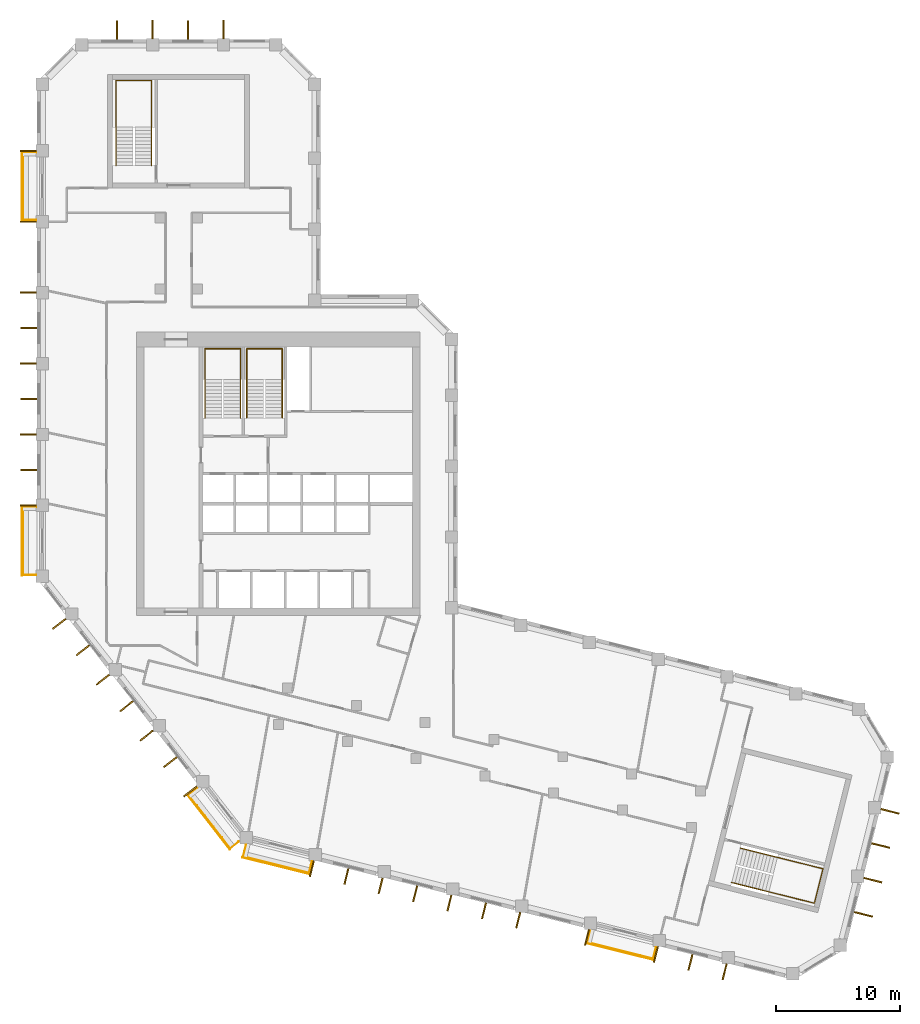
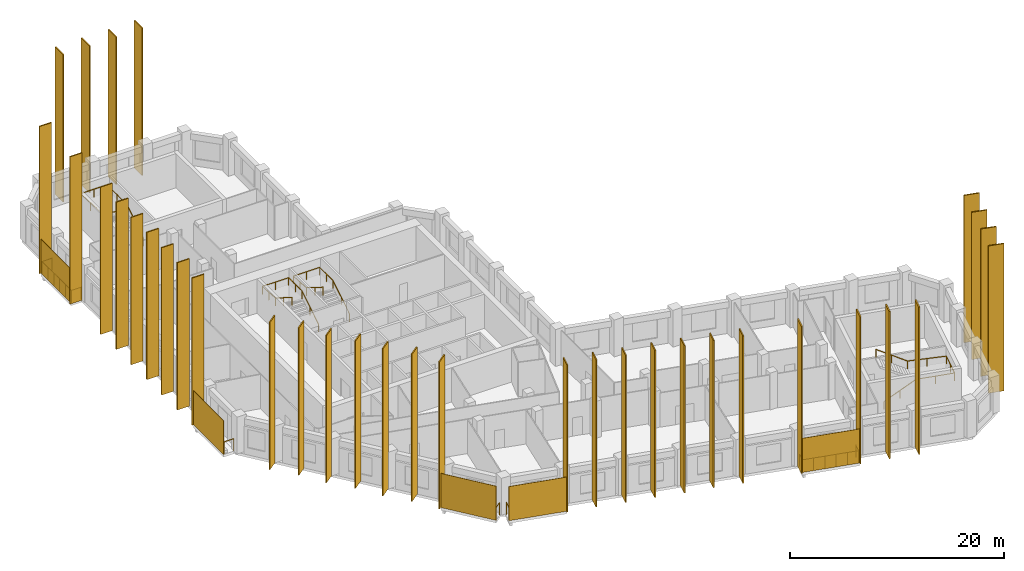
# One storey, part 9 of 9: 40 shading devices, 9 railings.
"""IFC4 building model written with IfcOpenShell, lengths in metres."""

import ifcopenshell
import ifcopenshell.guid

model = None  # the IFC model being written
_history = None  # IfcOwnerHistory: only IFC2X3 demands one
_inside = {}  # id of a spatial element -> (the spatial element, [elements in it])
_under = {}  # id of a project, library or spatial element -> (it, [spatial elements below it])
_declared = {}  # id of a project -> (the project, [libraries it declares])
_typed = {}  # id of a type object -> (the type object, [elements of that type])
_made_of = {}  # id of a material, layer set ... -> (it, [elements and type objects made of it])


def new_model(schema):
    """Start an empty IFC model of exactly this schema.

    Asked for "IFC4X3", IfcOpenShell would pick the latest addendum, in which some entities
    have other attributes; the version numbers below select the first issue.
    IFC2X3 requires an IfcOwnerHistory on every rooted entity: one is made here for all.
    """
    global model, _history
    if schema == "IFC4X3":
        model = ifcopenshell.file(schema_version=(4, 3, 0, 0))
    else:
        model = ifcopenshell.file(schema=schema)
    _inside.clear()
    _under.clear()
    _declared.clear()
    _typed.clear()
    _made_of.clear()
    _history = None
    if model.schema == "IFC2X3":
        org = make("IfcOrganization", Name="unknown")
        user = make(
            "IfcPersonAndOrganization",
            ThePerson=make("IfcPerson", FamilyName="unknown"),
            TheOrganization=org,
        )
        app = make(
            "IfcApplication",
            ApplicationDeveloper=org,
            Version="unknown",
            ApplicationFullName="unknown",
            ApplicationIdentifier="unknown",
        )
        _history = make(
            "IfcOwnerHistory",
            OwningUser=user,
            OwningApplication=app,
            ChangeAction="ADDED",
            CreationDate=0,
        )
    return model


def make(cls, **values):
    """One entity of the class cls with the attributes given. An attribute that is None is left unset."""
    return model.create_entity(
        cls, **{name: value for name, value in values.items() if value is not None}
    )


def rooted(cls, **values):
    """An entity with a GlobalId (a new one), such as an element, a storey or a relation."""
    return make(cls, GlobalId=ifcopenshell.guid.new(), OwnerHistory=_history, **values)


def si_unit(unit_type, name, prefix=None):
    """IfcSIUnit, for example si_unit("LENGTHUNIT", "METRE", prefix="MILLI")."""
    return make("IfcSIUnit", UnitType=unit_type, Prefix=prefix, Name=name)


def assignment(units):
    """IfcUnitAssignment: the units of a project."""
    return None if units is None else make("IfcUnitAssignment", Units=units)


def point(xyz):
    """IfcCartesianPoint."""
    return None if xyz is None else make("IfcCartesianPoint", Coordinates=xyz)


def direction(xyz):
    """IfcDirection."""
    return None if xyz is None else make("IfcDirection", DirectionRatios=xyz)


def frame(location, z_axis=None, x_axis=None):
    """IfcAxis2Placement3D, a coordinate frame: its origin and axes. An axis left out is left unset."""
    return make(
        "IfcAxis2Placement3D",
        Location=point(location),
        Axis=direction(z_axis),
        RefDirection=direction(x_axis),
    )


def frame_2d(location, x_axis=None):
    """IfcAxis2Placement2D, a coordinate frame in the plane: its origin and x axis."""
    return make(
        "IfcAxis2Placement2D", Location=point(location), RefDirection=direction(x_axis)
    )


def origin():
    """The frame at (0, 0, 0) with its axes left unset."""
    return frame((0.0, 0.0, 0.0))


def origin_2d():
    """The frame at (0, 0) in the plane with its x axis left unset."""
    return frame_2d((0.0, 0.0))


def place(relative_to, where):
    """IfcLocalPlacement: puts the frame where relative to a parent placement (None: the world)."""
    return make(
        "IfcLocalPlacement", PlacementRelTo=relative_to, RelativePlacement=where
    )


def context(
    kind, dimensions, precision=None, world=None, true_north=None, identifier=None
):
    """IfcGeometricRepresentationContext, for example the 3D "Model" context."""
    return make(
        "IfcGeometricRepresentationContext",
        ContextIdentifier=identifier,
        ContextType=kind,
        CoordinateSpaceDimension=dimensions,
        Precision=precision,
        WorldCoordinateSystem=world,
        TrueNorth=true_north,
    )


def subcontext(parent, identifier, kind, view, scale=None):
    """IfcGeometricRepresentationSubContext, for example "Body" below "Model"."""
    return make(
        "IfcGeometricRepresentationSubContext",
        ContextIdentifier=identifier,
        ContextType=kind,
        ParentContext=parent,
        TargetScale=scale,
        TargetView=view,
    )


def project(units=None, contexts=None):
    """IfcProject with its units and contexts."""
    return rooted(
        "IfcProject",
        Name="project",
        RepresentationContexts=contexts,
        UnitsInContext=assignment(units),
    )


def spatial(cls, under=None, at=None, **own):
    """A site, building, storey or space (cls), placed at a placement, below another one or the project."""
    s = rooted(cls, ObjectPlacement=at, **own)
    if under is not None:
        _under.setdefault(under.id(), (under, []))[1].append(s)
    return s


def profile(cls, at=None, kind="AREA", **sizes):
    """A parametric profile (cls). Its sizes go by their IFC names, for example OverallWidth=200.0."""
    return make(cls, ProfileType=kind, Position=at, **sizes)


def rectangle(**sizes):
    """IfcRectangleProfileDef."""
    return profile("IfcRectangleProfileDef", **sizes)


def circle(**sizes):
    """IfcCircleProfileDef."""
    return profile("IfcCircleProfileDef", **sizes)


def extrude(swept, where, along, depth):
    """IfcExtrudedAreaSolid: the profile swept, set in the frame where, extruded along a direction by depth."""
    return make(
        "IfcExtrudedAreaSolid",
        SweptArea=swept,
        Position=where,
        ExtrudedDirection=direction(along),
        Depth=depth,
    )


def shape(context_of_items, identifier, shape_type, items):
    """IfcShapeRepresentation: the items that make up one representation, for example the "Body"."""
    return make(
        "IfcShapeRepresentation",
        ContextOfItems=context_of_items,
        RepresentationIdentifier=identifier,
        RepresentationType=shape_type,
        Items=items,
    )


def material(Name=None, Category=None):
    """IfcMaterial."""
    return make("IfcMaterial", Name=Name, Category=Category)


def layer(
    of_material, thickness, ventilated=None, Name=None, Category=None, Priority=None
):
    """IfcMaterialLayer: one layer of a wall or slab, of a material (None: an air gap)."""
    return make(
        "IfcMaterialLayer",
        Material=of_material,
        LayerThickness=thickness,
        IsVentilated=ventilated,
        Name=Name,
        Category=Category,
        Priority=Priority,
    )


def layer_set(layers, Name=None):
    """IfcMaterialLayerSet."""
    return make("IfcMaterialLayerSet", MaterialLayers=layers, LayerSetName=Name)


def made_of(thing, what):
    """Note that an element or type object is made of a material, layer set ...; save() writes the relation."""
    if what is not None:
        _made_of.setdefault(what.id(), (what, []))[1].append(thing)
    return thing


def type_object(cls, material=None, **own):
    """A type object (cls), such as IfcWallType, which elements share."""
    return made_of(rooted(cls, **own), material)


def element(
    cls,
    number,
    at=None,
    inside=None,
    cuts=None,
    type_object=None,
    material=None,
    context=None,
    identifier="Body",
    shape_type=None,
    held_by="IfcProductDefinitionShape",
    body=None,
    shapes=None,
    **own,
):
    """One element of the class cls, such as IfcWall. Its Tag is "e" and its number.

    at: its placement. inside: the storey or other place that contains it. cuts: it is an
    opening in that element (IfcRelVoidsElement). A single representation is given by context,
    identifier, shape_type and body (its items); several are given by shapes. held_by: the class
    of the entity that holds the representations. save() writes the other relations.
    """
    e = rooted(cls, Tag="e%d" % number, ObjectPlacement=at, **own)
    if body is not None:
        shapes = [shape(context, identifier, shape_type, body)]
    if shapes is not None:
        e.Representation = make(held_by, Representations=shapes)
    if inside is not None:
        _inside.setdefault(inside.id(), (inside, []))[1].append(e)
    if cuts is not None:
        rooted(
            "IfcRelVoidsElement", RelatingBuildingElement=cuts, RelatedOpeningElement=e
        )
    if type_object is not None:
        _typed.setdefault(type_object.id(), (type_object, []))[1].append(e)
    return made_of(e, material)


def aggregate(whole, parts):
    """IfcRelAggregates: a whole, such as a stair, and the parts it consists of."""
    return rooted("IfcRelAggregates", RelatingObject=whole, RelatedObjects=parts)


def save(model, path):
    """Write the relations noted so far, then the file.

    IfcRelAggregates (storeys below a building ...), IfcRelContainedInSpatialStructure (elements
    in a storey), IfcRelDefinesByType, IfcRelAssociatesMaterial and IfcRelDeclares: one each for
    every whole, place, type object, material and project.
    """
    for whole, parts in _under.values():
        aggregate(whole, parts)
    for where, things in _inside.values():
        rooted(
            "IfcRelContainedInSpatialStructure",
            RelatedElements=things,
            RelatingStructure=where,
        )
    for kind, things in _typed.values():
        rooted("IfcRelDefinesByType", RelatedObjects=things, RelatingType=kind)
    for what, things in _made_of.values():
        rooted("IfcRelAssociatesMaterial", RelatedObjects=things, RelatingMaterial=what)
    for by, libraries in _declared.values():
        rooted("IfcRelDeclares", RelatingContext=by, RelatedDefinitions=libraries)
    model.write(path)


model = new_model("IFC4")

# Units and contexts
model_context = context("Model", 3, precision=1e-05, world=origin(), true_north=direction((0.0, 1.0)))
body_context = subcontext(model_context, "Body", "Model", "MODEL_VIEW")
ifc_project = project(units=[si_unit("LENGTHUNIT", "METRE"), si_unit("AREAUNIT", "SQUARE_METRE"), si_unit("VOLUMEUNIT", "CUBIC_METRE"), si_unit("PLANEANGLEUNIT", "RADIAN"), si_unit("MASSUNIT", "GRAM", prefix="KILO")], contexts=[model_context])

# Site, building, storey
site_placement = place(None, origin())
site = spatial("IfcSite", under=ifc_project, at=site_placement, CompositionType="ELEMENT")
building_placement = place(site_placement, origin())
building = spatial("IfcBuilding", under=site, at=building_placement, Name="Meshkara Civic Tower", CompositionType="ELEMENT")
storey_placement = place(building_placement, frame((0.0, 0.0, 289.800048828125)))
storey = spatial("IfcBuildingStorey", under=building, at=storey_placement, Name="L66", CompositionType="ELEMENT", Elevation=289.800048828125)

# Railings
ifc_material_1 = material(Name="Steel S355", Category="steel")
railing_type_1 = type_object("IfcRailingType", Name="BALUSTRADE GUARD 1400", PredefinedType="BALUSTRADE", material=ifc_material_1)
for number, where, name in (
    (1, (-0.050048828125, 51.3349609375, 0.0), "Balcony guard"),
    (2, (-0.050048828125, 22.8349609375, 0.0), "Balcony guard"),
):
    element("IfcRailing", number, at=place(storey_placement, frame(where)), inside=storey, type_object=railing_type_1, Name=name, PredefinedType="BALUSTRADE", context=body_context, shape_type="SweptSolid", body=[
        extrude(circle(Radius=0.02392578125, at=origin_2d()), frame((0.0, 0.0, 1.3759765625), z_axis=(-1.0, 0.0, 0.0), x_axis=(0.0, -1.0, 0.0)), (0.0, 0.0, 1.0), 1.06005859375),
        extrude(circle(Radius=0.02392578125, at=origin_2d()), frame((-1.06005859375, 0.0, 1.3759765625), z_axis=(0.0, -1.0, 0.0), x_axis=(1.0, 0.0, 0.0)), (0.0, 0.0, 1.0), 5.4599609375),
        extrude(circle(Radius=0.02392578125, at=origin_2d()), frame((-1.06005859375, -5.4599609375, 1.3759765625), z_axis=(1.0, 0.0, 0.0), x_axis=(0.0, 1.0, 0.0)), (0.0, 0.0, 1.0), 1.06005859375),
        extrude(circle(Radius=0.02099609375, at=origin_2d()), origin(), (0.0, 0.0, 1.0), 1.351806640625),
        extrude(circle(Radius=0.02099609375, at=origin_2d()), frame((-1.06005859375, 0.0, 0.0)), (0.0, 0.0, 1.0), 1.351806640625),
        extrude(circle(Radius=0.02099609375, at=origin_2d()), frame((-1.06005859375, -1.092041015625, 0.0)), (0.0, 0.0, 1.0), 1.351806640625),
        extrude(circle(Radius=0.02099609375, at=origin_2d()), frame((-1.06005859375, -2.18408203125, 0.0)), (0.0, 0.0, 1.0), 1.351806640625),
        extrude(circle(Radius=0.02099609375, at=origin_2d()), frame((-1.06005859375, -3.27587890625, 0.0)), (0.0, 0.0, 1.0), 1.351806640625),
        extrude(circle(Radius=0.02099609375, at=origin_2d()), frame((-1.06005859375, -4.367919921875, 0.0)), (0.0, 0.0, 1.0), 1.351806640625),
        extrude(circle(Radius=0.02099609375, at=origin_2d()), frame((-1.06005859375, -5.4599609375, 0.0)), (0.0, 0.0, 1.0), 1.351806640625),
        extrude(circle(Radius=0.02099609375, at=origin_2d()), frame((0.0, -5.4599609375, 0.0)), (0.0, 0.0, 1.0), 1.351806640625),
    ])
railing_1_placement = place(storey_placement, frame((12.863037109375, 0.22705078125, 0.0)))
element("IfcRailing", 3, at=railing_1_placement, inside=storey, type_object=railing_type_1, Name="Balcony guard", PredefinedType="BALUSTRADE", context=body_context, shape_type="SweptSolid", body=[
    extrude(circle(Radius=0.02392578125, at=origin_2d()), frame((0.0, 0.0, 1.3759765625), z_axis=(-0.788494032236, -0.61504240596, 0.0), x_axis=(0.61504240596, -0.788494032236, 0.0)), (0.0, 0.0, 1.0), 0.858642578125),
    extrude(circle(Radius=0.02392578125, at=origin_2d()), frame((-0.677001953125, -0.528076171875, 1.3759765625), z_axis=(0.615684818606, -0.787992515281, 0.0), x_axis=(0.787992515281, 0.615684818606, 0.0)), (0.0, 0.0, 1.0), 5.460693359375),
    extrude(circle(Radius=0.02392578125, at=origin_2d()), frame((2.68505859375, -4.8310546875, 1.3759765625), z_axis=(0.787511002433, 0.616300593093, 0.0), x_axis=(-0.616300593093, 0.787511002433, 0.0)), (0.0, 0.0, 1.0), 0.8583984375),
    extrude(circle(Radius=0.02099609375, at=origin_2d()), origin(), (0.0, 0.0, 1.0), 1.351806640625),
    extrude(circle(Radius=0.02099609375, at=origin_2d()), frame((-0.677001953125, -0.528076171875, 0.0)), (0.0, 0.0, 1.0), 1.351806640625),
    extrude(circle(Radius=0.02099609375, at=origin_2d()), frame((-0.004638671875, -1.388671875, 0.0)), (0.0, 0.0, 1.0), 1.351806640625),
    extrude(circle(Radius=0.02099609375, at=origin_2d()), frame((0.667724609375, -2.249267578125, 0.0)), (0.0, 0.0, 1.0), 1.351806640625),
    extrude(circle(Radius=0.02099609375, at=origin_2d()), frame((1.34033203125, -3.10986328125, 0.0)), (0.0, 0.0, 1.0), 1.351806640625),
    extrude(circle(Radius=0.02099609375, at=origin_2d()), frame((2.0126953125, -3.970458984375, 0.0)), (0.0, 0.0, 1.0), 1.351806640625),
    extrude(circle(Radius=0.02099609375, at=origin_2d()), frame((2.68505859375, -4.8310546875, 0.0)), (0.0, 0.0, 1.0), 1.351806640625),
    extrude(circle(Radius=0.02099609375, at=origin_2d()), frame((3.361083984375, -4.302001953125, 0.0)), (0.0, 0.0, 1.0), 1.351806640625),
])
railing_2_placement = place(storey_placement, frame((16.821044921875, -4.35498046875, 0.0)))
element("IfcRailing", 4, at=railing_2_placement, inside=storey, type_object=railing_type_1, Name="Balcony guard", PredefinedType="BALUSTRADE", context=body_context, shape_type="SweptSolid", body=[
    extrude(circle(Radius=0.02392578125, at=origin_2d()), frame((0.0, 0.0, 1.3759765625), z_axis=(-0.241993877266, -0.970277776395, 0.0), x_axis=(0.970277776395, -0.241993877266, 0.0)), (0.0, 0.0, 1.0), 0.954345703125),
    extrude(circle(Radius=0.02392578125, at=origin_2d()), frame((-0.23095703125, -0.926025390625, 1.3759765625), z_axis=(0.9703315887, -0.241778013829, 0.0), x_axis=(0.241778013829, 0.9703315887, 0.0)), (0.0, 0.0, 1.0), 5.459716796875),
    extrude(circle(Radius=0.02392578125, at=origin_2d()), frame((5.06689453125, -2.24609375, 1.3759765625), z_axis=(0.242234364289, 0.970217765637, 0.0), x_axis=(-0.970217765637, 0.242234364289, 0.0)), (0.0, 0.0, 1.0), 0.953369140625),
    extrude(circle(Radius=0.02099609375, at=origin_2d()), origin(), (0.0, 0.0, 1.0), 1.351806640625),
    extrude(circle(Radius=0.02099609375, at=origin_2d()), frame((-0.23095703125, -0.926025390625, 0.0)), (0.0, 0.0, 1.0), 1.351806640625),
    extrude(circle(Radius=0.02099609375, at=origin_2d()), frame((0.82861328125, -1.18994140625, 0.0)), (0.0, 0.0, 1.0), 1.351806640625),
    extrude(circle(Radius=0.02099609375, at=origin_2d()), frame((1.88818359375, -1.4541015625, 0.0)), (0.0, 0.0, 1.0), 1.351806640625),
    extrude(circle(Radius=0.02099609375, at=origin_2d()), frame((2.94775390625, -1.718017578125, 0.0)), (0.0, 0.0, 1.0), 1.351806640625),
    extrude(circle(Radius=0.02099609375, at=origin_2d()), frame((4.00732421875, -1.982177734375, 0.0)), (0.0, 0.0, 1.0), 1.351806640625),
    extrude(circle(Radius=0.02099609375, at=origin_2d()), frame((5.06689453125, -2.24609375, 0.0)), (0.0, 0.0, 1.0), 1.351806640625),
    extrude(circle(Radius=0.02099609375, at=origin_2d()), frame((5.2978515625, -1.321044921875, 0.0)), (0.0, 0.0, 1.0), 1.351806640625),
])
railing_3_placement = place(storey_placement, frame((44.47412109375, -11.25, 0.0)))
element("IfcRailing", 5, at=railing_3_placement, inside=storey, type_object=railing_type_1, Name="Balcony guard", PredefinedType="BALUSTRADE", context=body_context, shape_type="SweptSolid", body=[
    extrude(circle(Radius=0.02392578125, at=origin_2d()), frame((0.0, 0.0, 1.3759765625), z_axis=(-0.242475378497, -0.970157559793, 0.0), x_axis=(0.970157559793, -0.242475378497, 0.0)), (0.0, 0.0, 1.0), 0.95361328125),
    extrude(circle(Radius=0.02392578125, at=origin_2d()), frame((-0.231201171875, -0.925048828125, 1.3759765625), z_axis=(0.970292231073, -0.24193591366, 0.0), x_axis=(0.24193591366, 0.970292231073, 0.0)), (0.0, 0.0, 1.0), 5.460205078125),
    extrude(circle(Radius=0.02392578125, at=origin_2d()), frame((5.06689453125, -2.24609375, 1.3759765625), z_axis=(0.242234364289, 0.970217765637, 0.0), x_axis=(-0.970217765637, 0.242234364289, 0.0)), (0.0, 0.0, 1.0), 0.953369140625),
    extrude(circle(Radius=0.02099609375, at=origin_2d()), origin(), (0.0, 0.0, 1.0), 1.351806640625),
    extrude(circle(Radius=0.02099609375, at=origin_2d()), frame((-0.231201171875, -0.925048828125, 0.0)), (0.0, 0.0, 1.0), 1.351806640625),
    extrude(circle(Radius=0.02099609375, at=origin_2d()), frame((0.828369140625, -1.189208984375, 0.0)), (0.0, 0.0, 1.0), 1.351806640625),
    extrude(circle(Radius=0.02099609375, at=origin_2d()), frame((1.887939453125, -1.453369140625, 0.0)), (0.0, 0.0, 1.0), 1.351806640625),
    extrude(circle(Radius=0.02099609375, at=origin_2d()), frame((2.94775390625, -1.7177734375, 0.0)), (0.0, 0.0, 1.0), 1.351806640625),
    extrude(circle(Radius=0.02099609375, at=origin_2d()), frame((4.00732421875, -1.98193359375, 0.0)), (0.0, 0.0, 1.0), 1.351806640625),
    extrude(circle(Radius=0.02099609375, at=origin_2d()), frame((5.06689453125, -2.24609375, 0.0)), (0.0, 0.0, 1.0), 1.351806640625),
    extrude(circle(Radius=0.02099609375, at=origin_2d()), frame((5.2978515625, -1.321044921875, 0.0)), (0.0, 0.0, 1.0), 1.351806640625),
])

# Shading devices
ifc_material_2 = material(Name="Bronze anodised aluminium", Category="aluminium")
ifc_layer_1 = layer(ifc_material_2, 0.1201171875)
ifc_layer_set_1 = layer_set([ifc_layer_1], Name="BRONZE FIN 1300")
shading_device_type_1 = type_object("IfcShadingDeviceType", Name="BRONZE FIN 1300", PredefinedType="USERDEFINED", material=ifc_layer_set_1)
for number, where, z_axis, x_axis, name in (
    (6, (-0.699951171875, 51.455078125, 0.0), (0.0, 0.0, 1.0), (0.0, -1.0, 0.0), "Fin"),
    (7, (-0.699951171875, 45.7548828125, 0.0), (0.0, 0.0, 1.0), (0.0, -1.0, 0.0), "Fin"),
    (8, (-0.699951171875, 40.054931640625, 0.0), (0.0, 0.0, 1.0), (0.0, -1.0, 0.0), "Fin"),
    (9, (-0.64990234375, 37.205078125, 0.0), (0.0, 0.0, 1.0), (0.0, -1.0, 0.0), "Fin"),
    (10, (-0.699951171875, 34.35498046875, 0.0), (0.0, 0.0, 1.0), (0.0, -1.0, 0.0), "Fin"),
    (11, (-0.64990234375, 31.5048828125, 0.0), (0.0, 0.0, 1.0), (0.0, -1.0, 0.0), "Fin"),
    (12, (-0.699951171875, 28.655029296875, 0.0), (0.0, 0.0, 1.0), (0.0, -1.0, 0.0), "Fin"),
    (13, (-0.64990234375, 25.804931640625, 0.0), (0.0, 0.0, 1.0), (0.0, -1.0, 0.0), "Fin"),
    (14, (-0.699951171875, 22.955078125, 0.0), (0.0, 0.0, 1.0), (0.0, -1.0, 0.0), "Fin"),
    (15, (1.802001953125, 13.43798828125, 0.0), (0.0, 0.0, 1.0), (0.615661475326, -0.788010753607, 0.0), "Fin"),
    (16, (3.701904296875, 11.305908203125, 0.0), (0.0, 0.0, 1.0), (0.615661475326, -0.788010753607, 0.0), "Fin"),
    (17, (5.31103515625, 8.946044921875, 0.0), (0.0, 0.0, 1.0), (0.615661475326, -0.788010753607, 0.0), "Fin"),
    (18, (7.2109375, 6.81396484375, 0.0), (0.0, 0.0, 1.0), (0.615661475326, -0.788010753607, 0.0), "Fin"),
    (19, (8.821044921875, 4.4541015625, 0.0), (0.0, 0.0, 1.0), (0.615661475326, -0.788010753607, 0.0), "Fin"),
    (20, (10.720947265625, 2.322021484375, 0.0), (0.0, 0.0, 1.0), (0.615661475326, -0.788010753607, 0.0), "Fin"),
    (21, (12.330078125, -0.037109375, 0.0), (0.0, 0.0, 1.0), (0.615661475326, -0.788010753607, 0.0), "Fin"),
    (22, (22.10009765625, -6.248046875, 0.0), (0.0, 0.0, 1.0), (0.970295726276, -0.2419218956, 0.0), "Fin"),
    (23, (24.881103515625, -6.8740234375, 0.0), (0.0, 0.0, 1.0), (0.970295726276, -0.2419218956, 0.0), "Fin"),
    (24, (27.6298828125, -7.626953125, 0.0), (0.0, 0.0, 1.0), (0.970295726276, -0.2419218956, 0.0), "Fin"),
    (25, (30.410888671875, -8.2529296875, 0.0), (0.0, 0.0, 1.0), (0.970295726276, -0.2419218956, 0.0), "Fin"),
    (26, (33.160888671875, -9.006103515625, 0.0), (0.0, 0.0, 1.0), (0.970295726276, -0.2419218956, 0.0), "Fin"),
    (27, (35.94189453125, -9.632080078125, 0.0), (0.0, 0.0, 1.0), (0.970295726276, -0.2419218956, 0.0), "Fin"),
    (28, (38.69189453125, -10.385009765625, 0.0), (0.0, 0.0, 1.0), (0.970295726276, -0.2419218956, 0.0), "Fin"),
    (29, (44.221923828125, -11.763916015625, 0.0), (0.0, 0.0, 1.0), (0.970295726276, -0.2419218956, 0.0), "Fin"),
    (30, (49.7529296875, -13.14306640625, 0.0), (0.0, 0.0, 1.0), (0.970295726276, -0.2419218956, 0.0), "Fin"),
    (31, (52.533935546875, -13.76904296875, 0.0), (0.0, 0.0, 1.0), (0.970295726276, -0.2419218956, 0.0), "Fin"),
    (32, (55.283935546875, -14.52099609375, 0.0), (0.0, 0.0, 1.0), (0.970295726276, -0.2419218956, 0.0), "Fin"),
):
    element("IfcShadingDevice", number, at=place(storey_placement, frame(where, z_axis=z_axis, x_axis=x_axis)), inside=storey, type_object=shading_device_type_1, Name=name, ObjectType="FIN", PredefinedType="USERDEFINED", context=body_context, shape_type="SweptSolid", body=[
        extrude(rectangle(XDim=0.1201171875, YDim=1.300048828125, at=origin_2d()), origin(), (0.0, 0.0, 1.0), 16.800048828125),
    ])
ifc_material_3 = material(Name="Bronze anodised aluminium", Category="aluminium")
ifc_layer_2 = layer(ifc_material_3, 0.1201171875)
ifc_layer_set_2 = layer_set([ifc_layer_2], Name="BRONZE FIN 1500")
shading_device_type_2 = type_object("IfcShadingDeviceType", Name="BRONZE FIN 1500", PredefinedType="USERDEFINED", material=ifc_layer_set_2)
for number, where, z_axis, x_axis, name in (
    (33, (15.006103515625, 61.219970703125, 0.0), (0.0, 0.0, 1.0), (-1.0, 0.0, 0.0), "Fin"),
    (34, (12.156005859375, 61.169921875, 0.0), (0.0, 0.0, 1.0), (-1.0, 0.0, 0.0), "Fin"),
    (35, (9.305908203125, 61.219970703125, 0.0), (0.0, 0.0, 1.0), (-1.0, 0.0, 0.0), "Fin"),
    (36, (6.4560546875, 61.169921875, 0.0), (0.0, 0.0, 1.0), (-1.0, 0.0, 0.0), "Fin"),
    (37, (66.445068359375, -9.912109375, 0.0), (0.0, 0.0, 1.0), (0.241938830418, 0.970291503795, 0.0), "Fin"),
    (38, (67.197998046875, -7.162109375, 0.0), (0.0, 0.0, 1.0), (0.241938830418, 0.970291503795, 0.0), "Fin"),
    (39, (67.823974609375, -4.381103515625, 0.0), (0.0, 0.0, 1.0), (0.241938830418, 0.970291503795, 0.0), "Fin"),
    (40, (68.576904296875, -1.632080078125, 0.0), (0.0, 0.0, 1.0), (0.241938830418, 0.970291503795, 0.0), "Fin"),
):
    element("IfcShadingDevice", number, at=place(storey_placement, frame(where, z_axis=z_axis, x_axis=x_axis)), inside=storey, type_object=shading_device_type_2, Name=name, ObjectType="FIN", PredefinedType="USERDEFINED", context=body_context, shape_type="SweptSolid", body=[
        extrude(rectangle(XDim=0.1201171875, YDim=1.5, at=origin_2d()), origin(), (0.0, 0.0, 1.0), 16.800048828125),
    ])
ifc_material_4 = material(Name="Perforated bronze anodised aluminium sheet", Category="aluminium")
ifc_layer_3 = layer(ifc_material_4, 0.0400390625)
ifc_layer_set_3 = layer_set([ifc_layer_3], Name="PERFORATED BRONZE SCREEN")
shading_device_type_3 = type_object("IfcShadingDeviceType", Name="PERFORATED BRONZE SCREEN", PredefinedType="USERDEFINED", material=ifc_layer_set_3)
for number, where, z_axis, x_axis, name in (
    (41, (-1.179931640625, 48.60498046875, 0.0), (0.0, 0.0, 1.0), (0.0, -1.0, 0.0), "Balcony screen"),
    (42, (-1.179931640625, 20.10498046875, 0.0), (0.0, 0.0, 1.0), (0.0, -1.0, 0.0), "Balcony screen"),
    (43, (13.81201171875, -2.4951171875, 0.0), (0.0, 0.0, 1.0), (0.615661475326, -0.788010753607, 0.0), "Balcony screen"),
    (44, (19.221923828125, -6.009033203125, 0.0), (0.0, 0.0, 1.0), (0.970295726276, -0.2419218956, 0.0), "Balcony screen"),
    (45, (46.875, -12.904052734375, 0.0), (0.0, 0.0, 1.0), (0.970295726276, -0.2419218956, 0.0), "Balcony screen"),
):
    element("IfcShadingDevice", number, at=place(storey_placement, frame(where, z_axis=z_axis, x_axis=x_axis)), inside=storey, type_object=shading_device_type_3, Name=name, ObjectType="SCREEN", PredefinedType="USERDEFINED", context=body_context, shape_type="SweptSolid", body=[
        extrude(rectangle(XDim=5.580078125, YDim=0.0400390625, at=origin_2d()), origin(), (0.0, 0.0, 1.0), 3.89990234375),
    ])

# Railings
ifc_material_5 = material(Name="Steel handrail", Category="steel")
railing_type_2 = type_object("IfcRailingType", Name="Stair handrail 900", PredefinedType="HANDRAIL", material=ifc_material_5)
railing_4_placement = place(storey_placement, frame((16.375, 30.0, 0.175048828125)))
element("IfcRailing", 46, at=railing_4_placement, inside=storey, type_object=railing_type_2, Name="L66 ST1 stair handrail 1", PredefinedType="HANDRAIL", context=body_context, shape_type="SweptSolid", body=[
    extrude(circle(Radius=0.02392578125, at=origin_2d()), frame((0.0, 0.0, 0.8759765625), z_axis=(0.0, 0.848028513186, 0.529950602248), x_axis=(-1.0, 0.0, 0.0)), (0.0, 0.0, 1.0), 3.632080078125),
    extrude(circle(Radius=0.02392578125, at=origin_2d()), frame((0.0, 3.080078125, 2.80078125), z_axis=(0.0, 1.0, 0.0), x_axis=(-1.0, 0.0, 0.0)), (0.0, 0.0, 1.0), 2.469970703125),
    extrude(circle(Radius=0.02392578125, at=origin_2d()), frame((0.0, 5.550048828125, 2.80078125), z_axis=(-1.0, 0.0, 0.0), x_axis=(0.0, -1.0, 0.0)), (0.0, 0.0, 1.0), 2.85009765625),
    extrude(circle(Radius=0.02392578125, at=origin_2d()), frame((-2.85009765625, 5.550048828125, 2.80078125), z_axis=(0.0, -0.997498084828, 0.070693498747), x_axis=(1.0, 0.0, 0.0)), (0.0, 0.0, 1.0), 2.47607421875),
    extrude(circle(Radius=0.02392578125, at=origin_2d()), frame((-2.85009765625, 3.080078125, 2.9755859375), z_axis=(0.0, -0.847998304005, 0.529998940003), x_axis=(1.0, 0.0, 0.0)), (0.0, 0.0, 1.0), 3.632080078125),
    extrude(circle(Radius=0.02099609375, at=origin_2d()), origin(), (0.0, 0.0, 1.0), 0.851806640625),
    extrude(circle(Radius=0.02099609375, at=origin_2d()), frame((0.0, 1.5400390625, 0.96240234375)), (0.0, 0.0, 1.0), 0.851806640625),
    extrude(circle(Radius=0.02099609375, at=origin_2d()), frame((0.0, 3.080078125, 1.9248046875)), (0.0, 0.0, 1.0), 0.851806640625),
    extrude(circle(Radius=0.02099609375, at=origin_2d()), frame((0.0, 4.31494140625, 1.9248046875)), (0.0, 0.0, 1.0), 0.851806640625),
    extrude(circle(Radius=0.02099609375, at=origin_2d()), frame((0.0, 5.550048828125, 1.9248046875)), (0.0, 0.0, 1.0), 0.851806640625),
    extrude(circle(Radius=0.02099609375, at=origin_2d()), frame((-1.425048828125, 5.550048828125, 1.9248046875)), (0.0, 0.0, 1.0), 0.851806640625),
    extrude(circle(Radius=0.02099609375, at=origin_2d()), frame((-2.85009765625, 5.550048828125, 1.9248046875)), (0.0, 0.0, 1.0), 0.851806640625),
    extrude(circle(Radius=0.02099609375, at=origin_2d()), frame((-2.85009765625, 4.31494140625, 2.01220703125)), (0.0, 0.0, 1.0), 0.851806640625),
    extrude(circle(Radius=0.02099609375, at=origin_2d()), frame((-2.85009765625, 3.080078125, 2.099853515625)), (0.0, 0.0, 1.0), 0.851806640625),
    extrude(circle(Radius=0.02099609375, at=origin_2d()), frame((-2.85009765625, 1.5400390625, 3.0625)), (0.0, 0.0, 1.0), 0.851806640625),
    extrude(circle(Radius=0.02099609375, at=origin_2d()), frame((-2.85009765625, 0.0, 4.02490234375)), (0.0, 0.0, 1.0), 0.851806640625),
])
railing_5_placement = place(storey_placement, frame((19.72509765625, 30.0, 0.175048828125)))
element("IfcRailing", 47, at=railing_5_placement, inside=storey, type_object=railing_type_2, Name="L66 ST2 stair handrail 1", PredefinedType="HANDRAIL", context=body_context, shape_type="SweptSolid", body=[
    extrude(circle(Radius=0.02392578125, at=origin_2d()), frame((0.0, 0.0, 0.8759765625), z_axis=(0.0, 0.848028513186, 0.529950602248), x_axis=(-1.0, 0.0, 0.0)), (0.0, 0.0, 1.0), 3.632080078125),
    extrude(circle(Radius=0.02392578125, at=origin_2d()), frame((0.0, 3.080078125, 2.80078125), z_axis=(0.0, 1.0, 0.0), x_axis=(-1.0, 0.0, 0.0)), (0.0, 0.0, 1.0), 2.469970703125),
    extrude(circle(Radius=0.02392578125, at=origin_2d()), frame((0.0, 5.550048828125, 2.80078125), z_axis=(-1.0, 0.0, 0.0), x_axis=(0.0, -1.0, 0.0)), (0.0, 0.0, 1.0), 2.85009765625),
    extrude(circle(Radius=0.02392578125, at=origin_2d()), frame((-2.85009765625, 5.550048828125, 2.80078125), z_axis=(0.0, -0.997498084828, 0.070693498747), x_axis=(1.0, 0.0, 0.0)), (0.0, 0.0, 1.0), 2.47607421875),
    extrude(circle(Radius=0.02392578125, at=origin_2d()), frame((-2.85009765625, 3.080078125, 2.9755859375), z_axis=(0.0, -0.847998304005, 0.529998940003), x_axis=(1.0, 0.0, 0.0)), (0.0, 0.0, 1.0), 3.632080078125),
    extrude(circle(Radius=0.02099609375, at=origin_2d()), origin(), (0.0, 0.0, 1.0), 0.851806640625),
    extrude(circle(Radius=0.02099609375, at=origin_2d()), frame((0.0, 1.5400390625, 0.96240234375)), (0.0, 0.0, 1.0), 0.851806640625),
    extrude(circle(Radius=0.02099609375, at=origin_2d()), frame((0.0, 3.080078125, 1.9248046875)), (0.0, 0.0, 1.0), 0.851806640625),
    extrude(circle(Radius=0.02099609375, at=origin_2d()), frame((0.0, 4.31494140625, 1.9248046875)), (0.0, 0.0, 1.0), 0.851806640625),
    extrude(circle(Radius=0.02099609375, at=origin_2d()), frame((0.0, 5.550048828125, 1.9248046875)), (0.0, 0.0, 1.0), 0.851806640625),
    extrude(circle(Radius=0.02099609375, at=origin_2d()), frame((-1.425048828125, 5.550048828125, 1.9248046875)), (0.0, 0.0, 1.0), 0.851806640625),
    extrude(circle(Radius=0.02099609375, at=origin_2d()), frame((-2.85009765625, 5.550048828125, 1.9248046875)), (0.0, 0.0, 1.0), 0.851806640625),
    extrude(circle(Radius=0.02099609375, at=origin_2d()), frame((-2.85009765625, 4.31494140625, 2.01220703125)), (0.0, 0.0, 1.0), 0.851806640625),
    extrude(circle(Radius=0.02099609375, at=origin_2d()), frame((-2.85009765625, 3.080078125, 2.099853515625)), (0.0, 0.0, 1.0), 0.851806640625),
    extrude(circle(Radius=0.02099609375, at=origin_2d()), frame((-2.85009765625, 1.5400390625, 3.0625)), (0.0, 0.0, 1.0), 0.851806640625),
    extrude(circle(Radius=0.02099609375, at=origin_2d()), frame((-2.85009765625, 0.0, 4.02490234375)), (0.0, 0.0, 1.0), 0.851806640625),
])
railing_6_placement = place(storey_placement, frame((9.22509765625, 50.27001953125, 0.175048828125)))
element("IfcRailing", 48, at=railing_6_placement, inside=storey, type_object=railing_type_2, Name="L66 ESA5 stair handrail 1", PredefinedType="HANDRAIL", context=body_context, shape_type="SweptSolid", body=[
    extrude(circle(Radius=0.02392578125, at=origin_2d()), frame((0.0, 0.0, 0.8759765625), z_axis=(0.0, 0.848028513186, 0.529950602248), x_axis=(-1.0, 0.0, 0.0)), (0.0, 0.0, 1.0), 3.632080078125),
    extrude(circle(Radius=0.02392578125, at=origin_2d()), frame((0.0, 3.080078125, 2.80078125), z_axis=(0.0, 1.0, 0.0), x_axis=(-1.0, 0.0, 0.0)), (0.0, 0.0, 1.0), 3.77001953125),
    extrude(circle(Radius=0.02392578125, at=origin_2d()), frame((0.0, 6.85009765625, 2.80078125), z_axis=(-1.0, 0.0, 0.0), x_axis=(0.0, -1.0, 0.0)), (0.0, 0.0, 1.0), 2.85009765625),
    extrude(circle(Radius=0.02392578125, at=origin_2d()), frame((-2.85009765625, 6.85009765625, 2.80078125), z_axis=(0.0, -0.9989237834, 0.046381838667), x_axis=(1.0, 0.0, 0.0)), (0.0, 0.0, 1.0), 3.774169921875),
    extrude(circle(Radius=0.02392578125, at=origin_2d()), frame((-2.85009765625, 3.080078125, 2.9755859375), z_axis=(0.0, -0.847998304005, 0.529998940003), x_axis=(1.0, 0.0, 0.0)), (0.0, 0.0, 1.0), 3.632080078125),
    extrude(circle(Radius=0.02099609375, at=origin_2d()), origin(), (0.0, 0.0, 1.0), 0.851806640625),
    extrude(circle(Radius=0.02099609375, at=origin_2d()), frame((0.0, 1.5400390625, 0.96240234375)), (0.0, 0.0, 1.0), 0.851806640625),
    extrude(circle(Radius=0.02099609375, at=origin_2d()), frame((0.0, 3.080078125, 1.9248046875)), (0.0, 0.0, 1.0), 0.851806640625),
    extrude(circle(Radius=0.02099609375, at=origin_2d()), frame((0.0, 4.965087890625, 1.9248046875)), (0.0, 0.0, 1.0), 0.851806640625),
    extrude(circle(Radius=0.02099609375, at=origin_2d()), frame((0.0, 6.85009765625, 1.9248046875)), (0.0, 0.0, 1.0), 0.851806640625),
    extrude(circle(Radius=0.02099609375, at=origin_2d()), frame((-1.425048828125, 6.85009765625, 1.9248046875)), (0.0, 0.0, 1.0), 0.851806640625),
    extrude(circle(Radius=0.02099609375, at=origin_2d()), frame((-2.85009765625, 6.85009765625, 1.9248046875)), (0.0, 0.0, 1.0), 0.851806640625),
    extrude(circle(Radius=0.02099609375, at=origin_2d()), frame((-2.85009765625, 4.965087890625, 2.01220703125)), (0.0, 0.0, 1.0), 0.851806640625),
    extrude(circle(Radius=0.02099609375, at=origin_2d()), frame((-2.85009765625, 3.080078125, 2.099853515625)), (0.0, 0.0, 1.0), 0.851806640625),
    extrude(circle(Radius=0.02099609375, at=origin_2d()), frame((-2.85009765625, 1.5400390625, 3.0625)), (0.0, 0.0, 1.0), 0.851806640625),
    extrude(circle(Radius=0.02099609375, at=origin_2d()), frame((-2.85009765625, 0.0, 4.02490234375)), (0.0, 0.0, 1.0), 0.851806640625),
])
railing_7_placement = place(storey_placement, frame((55.849365234375, -7.3544921875, 0.175048828125)))
element("IfcRailing", 49, at=railing_7_placement, inside=storey, type_object=railing_type_2, Name="L66 ESB5 stair handrail 1", PredefinedType="HANDRAIL", context=body_context, shape_type="SweptSolid", body=[
    extrude(circle(Radius=0.02392578125, at=origin_2d()), frame((0.0, 0.0, 0.8759765625), z_axis=(0.822811278243, -0.205282709236, 0.529943968439), x_axis=(0.242069343812, 0.970258951408, 0.0)), (0.0, 0.0, 1.0), 3.632080078125),
    extrude(circle(Radius=0.02392578125, at=origin_2d()), frame((2.988525390625, -0.74560546875, 2.80078125), z_axis=(0.970256677427, -0.242078458165, 0.0), x_axis=(0.242078458165, 0.970256677427, 0.0)), (0.0, 0.0, 1.0), 3.769775390625),
    extrude(circle(Radius=0.02392578125, at=origin_2d()), frame((6.646240234375, -1.658203125, 2.80078125), z_axis=(0.242072031574, 0.970258280835, 0.0), x_axis=(-0.970258280835, 0.242072031574, 0.0)), (0.0, 0.0, 1.0), 2.85009765625),
    extrude(circle(Radius=0.02392578125, at=origin_2d()), frame((7.336181640625, 1.107177734375, 2.80078125), z_axis=(-0.969216294885, 0.241802743795, 0.046381104147), x_axis=(-0.242063248025, -0.970260472221, 0.0)), (0.0, 0.0, 1.0), 3.774169921875),
    extrude(circle(Radius=0.02392578125, at=origin_2d()), frame((3.67822265625, 2.019775390625, 2.9755859375), z_axis=(-0.822771605551, 0.205222362071, 0.530028930537), x_axis=(-0.242013336109, -0.97027292302, 0.0)), (0.0, 0.0, 1.0), 3.632080078125),
    extrude(circle(Radius=0.02099609375, at=origin_2d()), origin(), (0.0, 0.0, 1.0), 0.851806640625),
    extrude(circle(Radius=0.02099609375, at=origin_2d()), frame((1.494140625, -0.372802734375, 0.96240234375)), (0.0, 0.0, 1.0), 0.851806640625),
    extrude(circle(Radius=0.02099609375, at=origin_2d()), frame((2.988525390625, -0.74560546875, 1.9248046875)), (0.0, 0.0, 1.0), 0.851806640625),
    extrude(circle(Radius=0.02099609375, at=origin_2d()), frame((4.8173828125, -1.201904296875, 1.9248046875)), (0.0, 0.0, 1.0), 0.851806640625),
    extrude(circle(Radius=0.02099609375, at=origin_2d()), frame((6.646240234375, -1.658203125, 1.9248046875)), (0.0, 0.0, 1.0), 0.851806640625),
    extrude(circle(Radius=0.02099609375, at=origin_2d()), frame((6.9912109375, -0.275390625, 1.9248046875)), (0.0, 0.0, 1.0), 0.851806640625),
    extrude(circle(Radius=0.02099609375, at=origin_2d()), frame((7.336181640625, 1.107177734375, 1.9248046875)), (0.0, 0.0, 1.0), 0.851806640625),
    extrude(circle(Radius=0.02099609375, at=origin_2d()), frame((5.50732421875, 1.5634765625, 2.01220703125)), (0.0, 0.0, 1.0), 0.851806640625),
    extrude(circle(Radius=0.02099609375, at=origin_2d()), frame((3.67822265625, 2.019775390625, 2.099853515625)), (0.0, 0.0, 1.0), 0.851806640625),
    extrude(circle(Radius=0.02099609375, at=origin_2d()), frame((2.18408203125, 2.392578125, 3.0625)), (0.0, 0.0, 1.0), 0.851806640625),
    extrude(circle(Radius=0.02099609375, at=origin_2d()), frame((0.68994140625, 2.76513671875, 4.02490234375)), (0.0, 0.0, 1.0), 0.851806640625),
])

save(model, "model.ifc")
